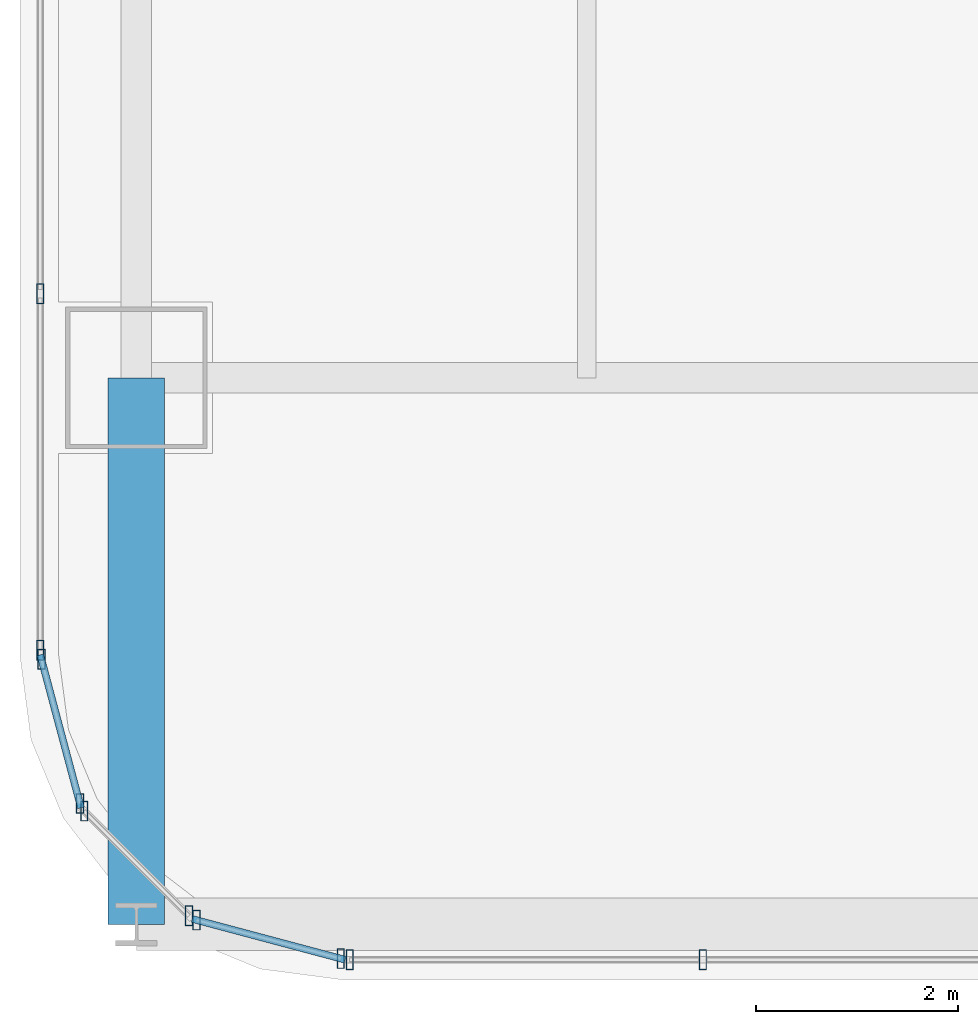
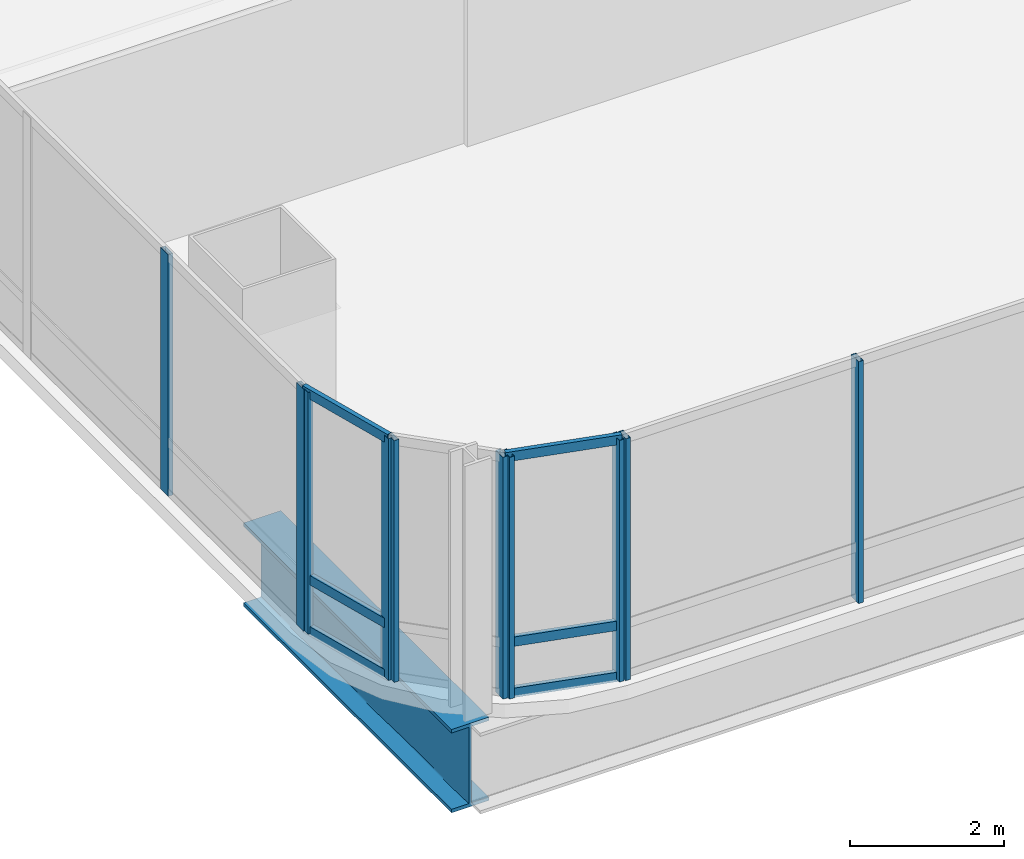
# One storey, part 2 of 36: 16 members, 1 beam, 5 elements without a shape of their own.
"""IFC4 building model written with IfcOpenShell, lengths in metres."""

from ifc_helpers import new_model, si_unit, direction, frame, origin, origin_2d, place, context, subcontext, project, spatial, hollow_rectangle, i_section, extrude, material, material_profile, profile_set, type_object, element, aggregate, save


model = new_model("IFC4")

# Units and contexts
model_context = context("Model", 3, precision=1e-05, world=origin(), true_north=direction((0.0, 1.0)))
body_context = subcontext(model_context, "Body", "Model", "MODEL_VIEW")
ifc_project = project(units=[si_unit("LENGTHUNIT", "METRE"), si_unit("AREAUNIT", "SQUARE_METRE"), si_unit("VOLUMEUNIT", "CUBIC_METRE"), si_unit("PLANEANGLEUNIT", "RADIAN"), si_unit("MASSUNIT", "GRAM", prefix="KILO")], contexts=[model_context])

# Site, building, storey
site_placement = place(None, origin())
site = spatial("IfcSite", under=ifc_project, at=site_placement, CompositionType="ELEMENT")
building_placement = place(site_placement, origin())
building = spatial("IfcBuilding", under=site, at=building_placement, Name="Punatoya Terracotta Tower", CompositionType="ELEMENT")
storey_placement = place(building_placement, frame((0.0, 0.0, 212.699951171875)))
storey = spatial("IfcBuildingStorey", under=building, at=storey_placement, Name="L50", CompositionType="ELEMENT", Elevation=212.699951171875)

# Beam
ifc_material_1 = material(Name="Steel S460", Category="steel")
ifc_material_profile_1 = material_profile(ifc_material_1, i_section(OverallWidth=0.56005859375, OverallDepth=1.320068359375, WebThickness=0.035888671875, FlangeThickness=0.054931640625, FilletRadius=0.01806640625, at=origin_2d()))
ifc_profile_set_1 = profile_set([ifc_material_profile_1], Name="Steel S460")
beam_type = type_object("IfcBeamType", Name="BM-TG-BLK", PredefinedType="BEAM", material=ifc_profile_set_1)
beam_placement = place(storey_placement, frame((-19.10009765625, -22.89990234375, -0.8798828125), z_axis=(0.0, 1.0, 0.0), x_axis=(-1.0, 0.0, 0.0)))
element("IfcBeam", 1, at=beam_placement, inside=storey, type_object=beam_type, Name="BM-L50-CANT-S1", PredefinedType="BEAM", context=body_context, shape_type="SweptSolid", body=[
    extrude(i_section(OverallWidth=0.56005859375, OverallDepth=1.320068359375, WebThickness=0.035888671875, FlangeThickness=0.054931640625, FilletRadius=0.01806640625, at=origin_2d()), origin(), (0.0, 0.0, 1.0), 5.39990234375),
])

# Curtain wall, members
ifc_material_2 = material(Name="Aluminium 6063-T6 + Double Low-E Glass", Category="aluminium")
curtain_wall_type = type_object("IfcCurtainWallType", Name="CW-M2", PredefinedType="NOTDEFINED", material=ifc_material_2)
curtain_wall_1_placement = place(storey_placement, origin())
curtain_wall_1 = element("IfcCurtainWall", 2, at=curtain_wall_1_placement, inside=storey, type_object=curtain_wall_type, Name="L50 Curtain Wall CW-L50-S01-1", PredefinedType="NOTDEFINED")
ifc_material_3 = material(Name="Aluminium 6063-T6", Category="aluminium")
ifc_material_profile_2 = material_profile(ifc_material_3, hollow_rectangle(XDim=0.072021484375, YDim=0.195068359375, WallThickness=0.00439453125, at=origin_2d()))
ifc_profile_set_2 = profile_set([ifc_material_profile_2], Name="Aluminium 6063-T6")
member_type_1 = type_object("IfcMemberType", Name="CW-MUL-M2", PredefinedType="MULLION", material=ifc_profile_set_2)
member_1_placement = place(storey_placement, frame((-16.991943359375, -23.25, 0.0), z_axis=(0.0, 0.0, 1.0), x_axis=(1.0, 0.0, 0.0)))
member_1 = element("IfcMember", 3, at=member_1_placement, type_object=member_type_1, Name="CW-L50-S01-1 Mullion 00", PredefinedType="MULLION", context=body_context, shape_type="SweptSolid", body=[
    extrude(hollow_rectangle(XDim=0.072021484375, YDim=0.195068359375, WallThickness=0.00439453125, at=origin_2d()), origin(), (0.0, 0.0, 1.0), 3.830078125),
])
member_2_placement = place(storey_placement, frame((-13.5029296875, -23.25, 0.0), z_axis=(0.0, 0.0, 1.0), x_axis=(1.0, 0.0, 0.0)))
member_2 = element("IfcMember", 4, at=member_2_placement, type_object=member_type_1, Name="CW-L50-S01-1 Mullion 01", PredefinedType="MULLION", context=body_context, shape_type="SweptSolid", body=[
    extrude(hollow_rectangle(XDim=0.072021484375, YDim=0.195068359375, WallThickness=0.00439453125, at=origin_2d()), origin(), (0.0, 0.0, 1.0), 3.830078125),
])
aggregate(curtain_wall_1, [member_1, member_2])

curtain_wall_2_placement = place(storey_placement, origin())
curtain_wall_2 = element("IfcCurtainWall", 5, at=curtain_wall_2_placement, inside=storey, type_object=curtain_wall_type, Name="L50 Curtain Wall CW-L50-W13-1", PredefinedType="NOTDEFINED")
member_3_placement = place(storey_placement, frame((-20.050048828125, -16.66943359375, 0.0), z_axis=(0.0, 0.0, 1.0), x_axis=(1.0, 0.0, 0.0)))
member_3 = element("IfcMember", 6, at=member_3_placement, type_object=member_type_1, Name="CW-L50-W13-1 Mullion 09", PredefinedType="MULLION", context=body_context, shape_type="SweptSolid", body=[
    extrude(hollow_rectangle(XDim=0.072021484375, YDim=0.195068359375, WallThickness=0.00439453125, at=origin_2d()), origin(), (0.0, 0.0, 1.0), 3.830078125),
])
member_4_placement = place(storey_placement, frame((-20.050048828125, -20.19189453125, 0.0), z_axis=(0.0, 0.0, 1.0), x_axis=(1.0, 0.0, 0.0)))
member_4 = element("IfcMember", 7, at=member_4_placement, type_object=member_type_1, Name="CW-L50-W13-1 Mullion 10", PredefinedType="MULLION", context=body_context, shape_type="SweptSolid", body=[
    extrude(hollow_rectangle(XDim=0.072021484375, YDim=0.195068359375, WallThickness=0.00439453125, at=origin_2d()), origin(), (0.0, 0.0, 1.0), 3.830078125),
])
aggregate(curtain_wall_2, [member_3, member_4])

curtain_wall_3_placement = place(storey_placement, origin())
curtain_wall_3 = element("IfcCurtainWall", 8, at=curtain_wall_3_placement, inside=storey, type_object=curtain_wall_type, Name="L50 Curtain Wall CW-L50-CRN14", PredefinedType="NOTDEFINED")
member_5_placement = place(storey_placement, frame((-20.038330078125, -20.280517578125, 0.0), z_axis=(0.0, 0.0, 1.0), x_axis=(1.0, 0.0, 0.0)))
member_5 = element("IfcMember", 9, at=member_5_placement, type_object=member_type_1, Name="CW-L50-CRN14 Mullion 00", PredefinedType="MULLION", context=body_context, shape_type="SweptSolid", body=[
    extrude(hollow_rectangle(XDim=0.072021484375, YDim=0.195068359375, WallThickness=0.00439453125, at=origin_2d()), origin(), (0.0, 0.0, 1.0), 3.830078125),
])
member_6_placement = place(storey_placement, frame((-19.658203125, -21.70556640625, 0.0), z_axis=(0.0, 0.0, 1.0), x_axis=(1.0, 0.0, 0.0)))
member_6 = element("IfcMember", 10, at=member_6_placement, type_object=member_type_1, Name="CW-L50-CRN14 Mullion 01", PredefinedType="MULLION", context=body_context, shape_type="SweptSolid", body=[
    extrude(hollow_rectangle(XDim=0.072021484375, YDim=0.195068359375, WallThickness=0.00439453125, at=origin_2d()), origin(), (0.0, 0.0, 1.0), 3.830078125),
])

curtain_wall_4_placement = place(storey_placement, origin())
curtain_wall_4 = element("IfcCurtainWall", 11, at=curtain_wall_4_placement, inside=storey, type_object=curtain_wall_type, Name="L50 Curtain Wall CW-L50-CRN15", PredefinedType="NOTDEFINED")
member_7_placement = place(storey_placement, frame((-19.61474609375, -21.781005859375, 0.0), z_axis=(0.0, 0.0, 1.0), x_axis=(1.0, 0.0, 0.0)))
member_7 = element("IfcMember", 12, at=member_7_placement, type_object=member_type_1, Name="CW-L50-CRN15 Mullion 00", PredefinedType="MULLION", context=body_context, shape_type="SweptSolid", body=[
    extrude(hollow_rectangle(XDim=0.072021484375, YDim=0.195068359375, WallThickness=0.00439453125, at=origin_2d()), origin(), (0.0, 0.0, 1.0), 3.830078125),
])
member_8_placement = place(storey_placement, frame((-18.580810546875, -22.814697265625, 0.0), z_axis=(0.0, 0.0, 1.0), x_axis=(1.0, 0.0, 0.0)))
member_8 = element("IfcMember", 13, at=member_8_placement, type_object=member_type_1, Name="CW-L50-CRN15 Mullion 01", PredefinedType="MULLION", context=body_context, shape_type="SweptSolid", body=[
    extrude(hollow_rectangle(XDim=0.072021484375, YDim=0.195068359375, WallThickness=0.00439453125, at=origin_2d()), origin(), (0.0, 0.0, 1.0), 3.830078125),
])
aggregate(curtain_wall_4, [member_7, member_8])

curtain_wall_5_placement = place(storey_placement, origin())
curtain_wall_5 = element("IfcCurtainWall", 14, at=curtain_wall_5_placement, inside=storey, type_object=curtain_wall_type, Name="L50 Curtain Wall CW-L50-CRN16", PredefinedType="NOTDEFINED")
member_9_placement = place(storey_placement, frame((-18.505615234375, -22.858154296875, 0.0), z_axis=(0.0, 0.0, 1.0), x_axis=(1.0, 0.0, 0.0)))
member_9 = element("IfcMember", 15, at=member_9_placement, type_object=member_type_1, Name="CW-L50-CRN16 Mullion 00", PredefinedType="MULLION", context=body_context, shape_type="SweptSolid", body=[
    extrude(hollow_rectangle(XDim=0.072021484375, YDim=0.195068359375, WallThickness=0.00439453125, at=origin_2d()), origin(), (0.0, 0.0, 1.0), 3.830078125),
])
member_10_placement = place(storey_placement, frame((-17.080322265625, -23.23828125, 0.0), z_axis=(0.0, 0.0, 1.0), x_axis=(1.0, 0.0, 0.0)))
member_10 = element("IfcMember", 16, at=member_10_placement, type_object=member_type_1, Name="CW-L50-CRN16 Mullion 01", PredefinedType="MULLION", context=body_context, shape_type="SweptSolid", body=[
    extrude(hollow_rectangle(XDim=0.072021484375, YDim=0.195068359375, WallThickness=0.00439453125, at=origin_2d()), origin(), (0.0, 0.0, 1.0), 3.830078125),
])

# Member
ifc_material_profile_3 = material_profile(ifc_material_3, hollow_rectangle(XDim=0.068115234375, YDim=0.14990234375, WallThickness=0.00390625, at=origin_2d()))
ifc_profile_set_3 = profile_set([ifc_material_profile_3], Name="Aluminium 6063-T6")
member_type_2 = type_object("IfcMemberType", Name="CW-TRN-TYP", PredefinedType="USERDEFINED", material=ifc_profile_set_3)
member_11_placement = place(storey_placement, frame((-20.050048828125, -20.23681640625, 0.0400390625), z_axis=(0.257847112249, -0.966185730957, 0.0), x_axis=(0.966185730957, 0.257847112249, 0.0)))
member_11 = element("IfcMember", 17, at=member_11_placement, type_object=member_type_2, Name="CW-L50-CRN14 Transom 1", ObjectType="TRANSOM", PredefinedType="USERDEFINED", context=body_context, shape_type="SweptSolid", body=[
    extrude(hollow_rectangle(XDim=0.068115234375, YDim=0.14990234375, WallThickness=0.00390625, at=origin_2d()), origin(), (0.0, 0.0, 1.0), 1.565185546875),
])

member_12_placement = place(storey_placement, frame((-20.050048828125, -20.23681640625, 0.85009765625), z_axis=(0.257847112249, -0.966185730957, 0.0), x_axis=(0.966185730957, 0.257847112249, 0.0)))
member_12 = element("IfcMember", 18, at=member_12_placement, type_object=member_type_2, Name="CW-L50-CRN14 Transom 2", ObjectType="TRANSOM", PredefinedType="USERDEFINED", context=body_context, shape_type="SweptSolid", body=[
    extrude(hollow_rectangle(XDim=0.068115234375, YDim=0.14990234375, WallThickness=0.00390625, at=origin_2d()), origin(), (0.0, 0.0, 1.0), 1.565185546875),
])

member_13_placement = place(storey_placement, frame((-20.050048828125, -20.23681640625, 3.7900390625), z_axis=(0.257847112249, -0.966185730957, 0.0), x_axis=(0.966185730957, 0.257847112249, 0.0)))
member_13 = element("IfcMember", 19, at=member_13_placement, type_object=member_type_2, Name="CW-L50-CRN14 Transom 3", ObjectType="TRANSOM", PredefinedType="USERDEFINED", context=body_context, shape_type="SweptSolid", body=[
    extrude(hollow_rectangle(XDim=0.068115234375, YDim=0.14990234375, WallThickness=0.00390625, at=origin_2d()), origin(), (0.0, 0.0, 1.0), 1.565185546875),
])

aggregate(curtain_wall_3, [member_5, member_6, member_11, member_12, member_13])

member_14_placement = place(storey_placement, frame((-18.549072265625, -22.8466796875, 0.0400390625), z_axis=(0.966224582397, -0.257701486942, 0.0), x_axis=(0.257701486942, 0.966224582397, 0.0)))
member_14 = element("IfcMember", 20, at=member_14_placement, type_object=member_type_2, Name="CW-L50-CRN16 Transom 1", ObjectType="TRANSOM", PredefinedType="USERDEFINED", context=body_context, shape_type="SweptSolid", body=[
    extrude(hollow_rectangle(XDim=0.068115234375, YDim=0.14990234375, WallThickness=0.00390625, at=origin_2d()), origin(), (0.0, 0.0, 1.0), 1.565185546875),
])

member_15_placement = place(storey_placement, frame((-18.549072265625, -22.8466796875, 0.85009765625), z_axis=(0.966224582397, -0.257701486942, 0.0), x_axis=(0.257701486942, 0.966224582397, 0.0)))
member_15 = element("IfcMember", 21, at=member_15_placement, type_object=member_type_2, Name="CW-L50-CRN16 Transom 2", ObjectType="TRANSOM", PredefinedType="USERDEFINED", context=body_context, shape_type="SweptSolid", body=[
    extrude(hollow_rectangle(XDim=0.068115234375, YDim=0.14990234375, WallThickness=0.00390625, at=origin_2d()), origin(), (0.0, 0.0, 1.0), 1.565185546875),
])

member_16_placement = place(storey_placement, frame((-18.549072265625, -22.8466796875, 3.7900390625), z_axis=(0.966224582397, -0.257701486942, 0.0), x_axis=(0.257701486942, 0.966224582397, 0.0)))
member_16 = element("IfcMember", 22, at=member_16_placement, type_object=member_type_2, Name="CW-L50-CRN16 Transom 3", ObjectType="TRANSOM", PredefinedType="USERDEFINED", context=body_context, shape_type="SweptSolid", body=[
    extrude(hollow_rectangle(XDim=0.068115234375, YDim=0.14990234375, WallThickness=0.00390625, at=origin_2d()), origin(), (0.0, 0.0, 1.0), 1.565185546875),
])

aggregate(curtain_wall_5, [member_9, member_10, member_14, member_15, member_16])

save(model, "model.ifc")
